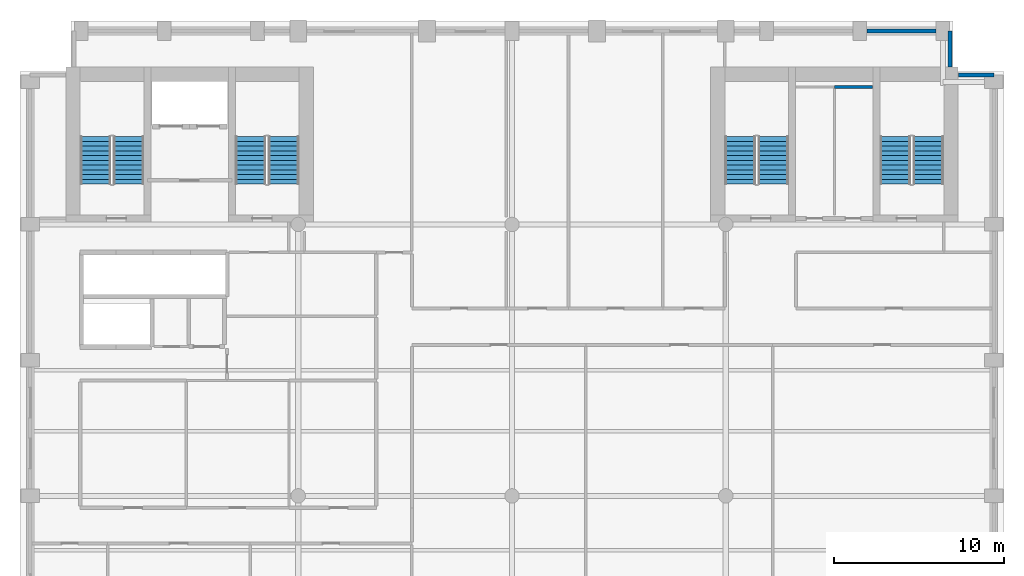
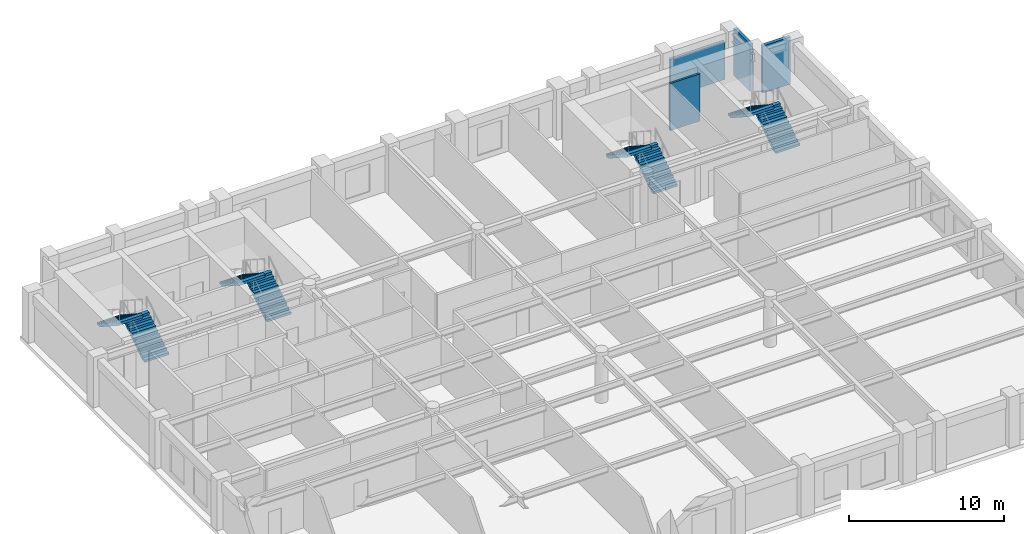
# One storey, part 6 of 8: 8 stair flights, 4 walls, 4 elements without a shape of their own.
"""IFC4 building model written with IfcOpenShell, lengths in metres."""

from ifc_helpers import new_model, si_unit, direction, frame, frame_2d, origin, place, context, subcontext, project, spatial, polyline, rectangle, outline, extrude, material, layer, layer_set, type_object, element, aggregate, save


model = new_model("IFC4")

# Units and contexts
model_context = context("Model", 3, precision=1e-05, world=origin(), true_north=direction((0.0, 1.0)))
body_context = subcontext(model_context, "Body", "Model", "MODEL_VIEW")
ifc_project = project(units=[si_unit("LENGTHUNIT", "METRE"), si_unit("AREAUNIT", "SQUARE_METRE"), si_unit("VOLUMEUNIT", "CUBIC_METRE"), si_unit("PLANEANGLEUNIT", "RADIAN"), si_unit("MASSUNIT", "GRAM", prefix="KILO")], contexts=[model_context])

# Site, building, storey
site_placement = place(None, origin())
site = spatial("IfcSite", under=ifc_project, at=site_placement, CompositionType="ELEMENT")
building_placement = place(site_placement, origin())
building = spatial("IfcBuilding", under=site, at=building_placement, Name="Sulina Concourse Tower", CompositionType="ELEMENT")
storey_placement = place(building_placement, frame((0.0, 0.0, 174.60009765625)))
storey = spatial("IfcBuildingStorey", under=building, at=storey_placement, Name="L42", CompositionType="ELEMENT", Elevation=174.60009765625)

# Walls
ifc_material_1 = material(Name="Precast concrete C50/60", Category="concrete")
ifc_layer_1 = layer(ifc_material_1, 0.239990234375)
ifc_layer_set_1 = layer_set([ifc_layer_1], Name="Precast concrete C50/60")
wall_type_1 = type_object("IfcWallType", Name="Crown Precast Masonry-Frame Facade Wall 240mm", PredefinedType="SOLIDWALL", material=ifc_layer_set_1)
wall_1_placement = place(storey_placement, frame((49.919921875, 45.39990234375, 0.0), z_axis=(0.0, 0.0, 1.0), x_axis=(1.0, 0.0, 0.0)))
element("IfcWall", 1, at=wall_1_placement, inside=storey, type_object=wall_type_1, Name="L42 exterior precast wall N10", PredefinedType="SOLIDWALL", context=body_context, shape_type="SweptSolid", body=[
    extrude(rectangle(XDim=4.06005859375, YDim=0.239990234375, at=frame_2d((2.030029296875, 0.0))), origin(), (0.0, 0.0, 1.0), 2.974853515625),
])
wall_2_placement = place(storey_placement, frame((54.820068359375, 45.39990234375, 0.0), z_axis=(0.0, 0.0, 1.0), x_axis=(0.0, -1.0, 0.0)))
element("IfcWall", 2, at=wall_2_placement, inside=storey, type_object=wall_type_1, Name="L42 exterior precast wall CNE1", PredefinedType="SOLIDWALL", context=body_context, shape_type="SweptSolid", body=[
    extrude(rectangle(XDim=2.114990234375, YDim=0.239990234375, at=frame_2d((1.0576171875, 0.0))), origin(), (0.0, 0.0, 1.0), 3.724853515625),
])
wall_3_placement = place(storey_placement, frame((55.304931640625, 42.820068359375, 0.0), z_axis=(0.0, 0.0, 1.0), x_axis=(1.0, 0.0, 0.0)))
element("IfcWall", 3, at=wall_3_placement, inside=storey, type_object=wall_type_1, Name="L42 exterior precast wall CNE2", PredefinedType="SOLIDWALL", context=body_context, shape_type="SweptSolid", body=[
    extrude(rectangle(XDim=2.094970703125, YDim=0.239990234375, at=frame_2d((1.04736328125, 0.0))), origin(), (0.0, 0.0, 1.0), 3.724853515625),
])
ifc_material_2 = material(Name="Gypsum board on steel stud", Category="steel")
ifc_layer_2 = layer(ifc_material_2, 0.14990234375)
ifc_layer_set_2 = layer_set([ifc_layer_2], Name="Gypsum board on steel stud")
wall_type_2 = type_object("IfcWallType", Name="Inter-Tenancy Acoustic Partition 150mm", PredefinedType="PARTITIONING", material=ifc_layer_set_2)
wall_4_placement = place(storey_placement, frame((48.0, 42.10009765625, 0.0), z_axis=(0.0, 0.0, 1.0), x_axis=(1.0, 0.0, 0.0)))
element("IfcWall", 4, at=wall_4_placement, inside=storey, type_object=wall_type_2, Name="L42 interior partition 030", PredefinedType="PARTITIONING", context=body_context, shape_type="SweptSolid", body=[
    extrude(rectangle(XDim=2.25, YDim=0.14990234375, at=frame_2d((1.125, 0.0))), origin(), (0.0, 0.0, 1.0), 3.724853515625),
])

# Stair, stair flights
ifc_material_3 = material(Name="Concrete C50/60", Category="concrete")
stair_type_1 = type_object("IfcStairType", Name="Portal & Podium Core Exit Stair 1820mm", PredefinedType="HALF_TURN_STAIR", material=ifc_material_3)
stair_1_placement = place(storey_placement, origin())
stair_1 = element("IfcStair", 5, at=stair_1_placement, inside=storey, type_object=stair_type_1, Name="L42 ST-3", PredefinedType="HALF_TURN_STAIR")
ifc_material_4 = material(Name="Concrete C50/60", Category="concrete")
stair_flight_type_1 = type_object("IfcStairFlightType", Name="Portal & Podium Core Exit Stair 1820mm Flight", PredefinedType="STRAIGHT", material=ifc_material_4)
stair_flight_1_placement = place(storey_placement, frame((44.405029296875, 36.375, 0.0), z_axis=(0.0, 0.0, 1.0), x_axis=(0.0, 1.0, 0.0)))
stair_flight_1 = element("IfcStairFlight", 6, at=stair_flight_1_placement, type_object=stair_flight_type_1, Name="ST-3 flight 1", NumberOfRisers=11, NumberOfTreads=10, PredefinedType="STRAIGHT", RiserHeight=0.181818182, TreadLength=0.28, context=body_context, shape_type="SweptSolid", body=[
    extrude(outline(polyline([(0.0, 0.0), (0.0, 0.181884765625), (0.280029296875, 0.181884765625), (0.280029296875, 0.363525390625), (0.56005859375, 0.363525390625), (0.56005859375, 0.54541015625), (0.840087890625, 0.54541015625), (0.840087890625, 0.727294921875), (1.1201171875, 0.727294921875), (1.1201171875, 0.9091796875), (1.39990234375, 0.9091796875), (1.39990234375, 1.0908203125), (1.679931640625, 1.0908203125), (1.679931640625, 1.272705078125), (1.9599609375, 1.272705078125), (1.9599609375, 1.45458984375), (2.239990234375, 1.45458984375), (2.239990234375, 1.636474609375), (2.52001953125, 1.636474609375), (2.52001953125, 1.818115234375), (2.800048828125, 1.818115234375), (2.800048828125, 2.0), (2.800048828125, 1.603759765625), (0.330322265625, 0.0), (0.0, 0.0)])), frame((0.0, 0.89990234375, 0.0), z_axis=(0.0, -1.0, 0.0), x_axis=(1.0, 0.0, 0.0)), (0.0, 0.0, 1.0), 1.800048828125),
])
stair_flight_2_placement = place(storey_placement, frame((42.455078125, 39.175048828125, 2.0), z_axis=(0.0, 0.0, 1.0), x_axis=(0.0, -1.0, 0.0)))
stair_flight_2 = element("IfcStairFlight", 7, at=stair_flight_2_placement, type_object=stair_flight_type_1, Name="ST-3 flight 2", NumberOfRisers=11, NumberOfTreads=10, PredefinedType="STRAIGHT", RiserHeight=0.181818182, TreadLength=0.28, context=body_context, shape_type="SweptSolid", body=[
    extrude(outline(polyline([(0.0, 0.0), (0.0, 0.181884765625), (0.280029296875, 0.181884765625), (0.280029296875, 0.363525390625), (0.56005859375, 0.363525390625), (0.56005859375, 0.54541015625), (0.840087890625, 0.54541015625), (0.840087890625, 0.727294921875), (1.1201171875, 0.727294921875), (1.1201171875, 0.9091796875), (1.39990234375, 0.9091796875), (1.39990234375, 1.0908203125), (1.679931640625, 1.0908203125), (1.679931640625, 1.272705078125), (1.9599609375, 1.272705078125), (1.9599609375, 1.45458984375), (2.239990234375, 1.45458984375), (2.239990234375, 1.636474609375), (2.52001953125, 1.636474609375), (2.52001953125, 1.818115234375), (2.800048828125, 1.818115234375), (2.800048828125, 2.0), (2.800048828125, 1.603759765625), (0.330322265625, 0.0), (0.0, 0.0)])), frame((0.0, 0.89990234375, 0.0), z_axis=(0.0, -1.0, 0.0), x_axis=(1.0, 0.0, 0.0)), (0.0, 0.0, 1.0), 1.800048828125),
])
aggregate(stair_1, [stair_flight_1, stair_flight_2])

stair_2_placement = place(storey_placement, origin())
stair_2 = element("IfcStair", 8, at=stair_2_placement, inside=storey, type_object=stair_type_1, Name="L42 ST-4", PredefinedType="HALF_TURN_STAIR")
stair_flight_3_placement = place(storey_placement, frame((53.544921875, 36.375, 0.0), z_axis=(0.0, 0.0, 1.0), x_axis=(0.0, 1.0, 0.0)))
stair_flight_3 = element("IfcStairFlight", 9, at=stair_flight_3_placement, type_object=stair_flight_type_1, Name="ST-4 flight 1", NumberOfRisers=11, NumberOfTreads=10, PredefinedType="STRAIGHT", RiserHeight=0.181818182, TreadLength=0.28, context=body_context, shape_type="SweptSolid", body=[
    extrude(outline(polyline([(0.0, 0.0), (0.0, 0.181884765625), (0.280029296875, 0.181884765625), (0.280029296875, 0.363525390625), (0.56005859375, 0.363525390625), (0.56005859375, 0.54541015625), (0.840087890625, 0.54541015625), (0.840087890625, 0.727294921875), (1.1201171875, 0.727294921875), (1.1201171875, 0.9091796875), (1.39990234375, 0.9091796875), (1.39990234375, 1.0908203125), (1.679931640625, 1.0908203125), (1.679931640625, 1.272705078125), (1.9599609375, 1.272705078125), (1.9599609375, 1.45458984375), (2.239990234375, 1.45458984375), (2.239990234375, 1.636474609375), (2.52001953125, 1.636474609375), (2.52001953125, 1.818115234375), (2.800048828125, 1.818115234375), (2.800048828125, 2.0), (2.800048828125, 1.603759765625), (0.330322265625, 0.0), (0.0, 0.0)])), frame((0.0, 0.89990234375, 0.0), z_axis=(0.0, -1.0, 0.0), x_axis=(1.0, 0.0, 0.0)), (0.0, 0.0, 1.0), 1.800048828125),
])
stair_flight_4_placement = place(storey_placement, frame((51.594970703125, 39.175048828125, 2.0), z_axis=(0.0, 0.0, 1.0), x_axis=(0.0, -1.0, 0.0)))
stair_flight_4 = element("IfcStairFlight", 10, at=stair_flight_4_placement, type_object=stair_flight_type_1, Name="ST-4 flight 2", NumberOfRisers=11, NumberOfTreads=10, PredefinedType="STRAIGHT", RiserHeight=0.181818182, TreadLength=0.28, context=body_context, shape_type="SweptSolid", body=[
    extrude(outline(polyline([(0.0, 0.0), (0.0, 0.181884765625), (0.280029296875, 0.181884765625), (0.280029296875, 0.363525390625), (0.56005859375, 0.363525390625), (0.56005859375, 0.54541015625), (0.840087890625, 0.54541015625), (0.840087890625, 0.727294921875), (1.1201171875, 0.727294921875), (1.1201171875, 0.9091796875), (1.39990234375, 0.9091796875), (1.39990234375, 1.0908203125), (1.679931640625, 1.0908203125), (1.679931640625, 1.272705078125), (1.9599609375, 1.272705078125), (1.9599609375, 1.45458984375), (2.239990234375, 1.45458984375), (2.239990234375, 1.636474609375), (2.52001953125, 1.636474609375), (2.52001953125, 1.818115234375), (2.800048828125, 1.818115234375), (2.800048828125, 2.0), (2.800048828125, 1.603759765625), (0.330322265625, 0.0), (0.0, 0.0)])), frame((0.0, 0.89990234375, 0.0), z_axis=(0.0, -1.0, 0.0), x_axis=(1.0, 0.0, 0.0)), (0.0, 0.0, 1.0), 1.800048828125),
])
aggregate(stair_2, [stair_flight_3, stair_flight_4])

ifc_material_5 = material(Name="Concrete C50/60", Category="concrete")
stair_type_2 = type_object("IfcStairType", Name="Primary Core Dog-Leg Exit Stair 1800mm", PredefinedType="HALF_TURN_STAIR", material=ifc_material_5)
stair_3_placement = place(storey_placement, origin())
stair_3 = element("IfcStair", 11, at=stair_3_placement, inside=storey, type_object=stair_type_2, Name="L42 ST-1", PredefinedType="HALF_TURN_STAIR")
ifc_material_6 = material(Name="Concrete C50/60", Category="concrete")
stair_flight_type_2 = type_object("IfcStairFlightType", Name="Primary Core Dog-Leg Exit Stair 1800mm Flight", PredefinedType="STRAIGHT", material=ifc_material_6)
stair_flight_5_placement = place(storey_placement, frame((6.405029296875, 36.375, 0.0), z_axis=(0.0, 0.0, 1.0), x_axis=(0.0, 1.0, 0.0)))
stair_flight_5 = element("IfcStairFlight", 12, at=stair_flight_5_placement, type_object=stair_flight_type_2, Name="ST-1 flight 1", NumberOfRisers=11, NumberOfTreads=10, PredefinedType="STRAIGHT", RiserHeight=0.181818182, TreadLength=0.28, context=body_context, shape_type="SweptSolid", body=[
    extrude(outline(polyline([(0.0, 0.0), (0.0, 0.181884765625), (0.280029296875, 0.181884765625), (0.280029296875, 0.363525390625), (0.56005859375, 0.363525390625), (0.56005859375, 0.54541015625), (0.840087890625, 0.54541015625), (0.840087890625, 0.727294921875), (1.1201171875, 0.727294921875), (1.1201171875, 0.9091796875), (1.39990234375, 0.9091796875), (1.39990234375, 1.0908203125), (1.679931640625, 1.0908203125), (1.679931640625, 1.272705078125), (1.9599609375, 1.272705078125), (1.9599609375, 1.45458984375), (2.239990234375, 1.45458984375), (2.239990234375, 1.636474609375), (2.52001953125, 1.636474609375), (2.52001953125, 1.818115234375), (2.800048828125, 1.818115234375), (2.800048828125, 2.0), (2.800048828125, 1.603759765625), (0.330322265625, 0.0), (0.0, 0.0)])), frame((0.0, 0.89990234375, 0.0), z_axis=(0.0, -1.0, 0.0), x_axis=(1.0, 0.0, 0.0)), (0.0, 0.0, 1.0), 1.800048828125),
])
stair_flight_6_placement = place(storey_placement, frame((4.455078125, 39.175048828125, 2.0), z_axis=(0.0, 0.0, 1.0), x_axis=(0.0, -1.0, 0.0)))
stair_flight_6 = element("IfcStairFlight", 13, at=stair_flight_6_placement, type_object=stair_flight_type_2, Name="ST-1 flight 2", NumberOfRisers=11, NumberOfTreads=10, PredefinedType="STRAIGHT", RiserHeight=0.181818182, TreadLength=0.28, context=body_context, shape_type="SweptSolid", body=[
    extrude(outline(polyline([(0.0, 0.0), (0.0, 0.181884765625), (0.280029296875, 0.181884765625), (0.280029296875, 0.363525390625), (0.56005859375, 0.363525390625), (0.56005859375, 0.54541015625), (0.840087890625, 0.54541015625), (0.840087890625, 0.727294921875), (1.1201171875, 0.727294921875), (1.1201171875, 0.9091796875), (1.39990234375, 0.9091796875), (1.39990234375, 1.0908203125), (1.679931640625, 1.0908203125), (1.679931640625, 1.272705078125), (1.9599609375, 1.272705078125), (1.9599609375, 1.45458984375), (2.239990234375, 1.45458984375), (2.239990234375, 1.636474609375), (2.52001953125, 1.636474609375), (2.52001953125, 1.818115234375), (2.800048828125, 1.818115234375), (2.800048828125, 2.0), (2.800048828125, 1.603759765625), (0.330322265625, 0.0), (0.0, 0.0)])), frame((0.0, 0.89990234375, 0.0), z_axis=(0.0, -1.0, 0.0), x_axis=(1.0, 0.0, 0.0)), (0.0, 0.0, 1.0), 1.800048828125),
])
aggregate(stair_3, [stair_flight_5, stair_flight_6])

stair_4_placement = place(storey_placement, origin())
stair_4 = element("IfcStair", 14, at=stair_4_placement, inside=storey, type_object=stair_type_2, Name="L42 ST-2", PredefinedType="HALF_TURN_STAIR")
stair_flight_7_placement = place(storey_placement, frame((15.544921875, 36.375, 0.0), z_axis=(0.0, 0.0, 1.0), x_axis=(0.0, 1.0, 0.0)))
stair_flight_7 = element("IfcStairFlight", 15, at=stair_flight_7_placement, type_object=stair_flight_type_2, Name="ST-2 flight 1", NumberOfRisers=11, NumberOfTreads=10, PredefinedType="STRAIGHT", RiserHeight=0.181818182, TreadLength=0.28, context=body_context, shape_type="SweptSolid", body=[
    extrude(outline(polyline([(0.0, 0.0), (0.0, 0.181884765625), (0.280029296875, 0.181884765625), (0.280029296875, 0.363525390625), (0.56005859375, 0.363525390625), (0.56005859375, 0.54541015625), (0.840087890625, 0.54541015625), (0.840087890625, 0.727294921875), (1.1201171875, 0.727294921875), (1.1201171875, 0.9091796875), (1.39990234375, 0.9091796875), (1.39990234375, 1.0908203125), (1.679931640625, 1.0908203125), (1.679931640625, 1.272705078125), (1.9599609375, 1.272705078125), (1.9599609375, 1.45458984375), (2.239990234375, 1.45458984375), (2.239990234375, 1.636474609375), (2.52001953125, 1.636474609375), (2.52001953125, 1.818115234375), (2.800048828125, 1.818115234375), (2.800048828125, 2.0), (2.800048828125, 1.603759765625), (0.330322265625, 0.0), (0.0, 0.0)])), frame((0.0, 0.89990234375, 0.0), z_axis=(0.0, -1.0, 0.0), x_axis=(1.0, 0.0, 0.0)), (0.0, 0.0, 1.0), 1.800048828125),
])
stair_flight_8_placement = place(storey_placement, frame((13.594970703125, 39.175048828125, 2.0), z_axis=(0.0, 0.0, 1.0), x_axis=(0.0, -1.0, 0.0)))
stair_flight_8 = element("IfcStairFlight", 16, at=stair_flight_8_placement, type_object=stair_flight_type_2, Name="ST-2 flight 2", NumberOfRisers=11, NumberOfTreads=10, PredefinedType="STRAIGHT", RiserHeight=0.181818182, TreadLength=0.28, context=body_context, shape_type="SweptSolid", body=[
    extrude(outline(polyline([(0.0, 0.0), (0.0, 0.181884765625), (0.280029296875, 0.181884765625), (0.280029296875, 0.363525390625), (0.56005859375, 0.363525390625), (0.56005859375, 0.54541015625), (0.840087890625, 0.54541015625), (0.840087890625, 0.727294921875), (1.1201171875, 0.727294921875), (1.1201171875, 0.9091796875), (1.39990234375, 0.9091796875), (1.39990234375, 1.0908203125), (1.679931640625, 1.0908203125), (1.679931640625, 1.272705078125), (1.9599609375, 1.272705078125), (1.9599609375, 1.45458984375), (2.239990234375, 1.45458984375), (2.239990234375, 1.636474609375), (2.52001953125, 1.636474609375), (2.52001953125, 1.818115234375), (2.800048828125, 1.818115234375), (2.800048828125, 2.0), (2.800048828125, 1.603759765625), (0.330322265625, 0.0), (0.0, 0.0)])), frame((0.0, 0.89990234375, 0.0), z_axis=(0.0, -1.0, 0.0), x_axis=(1.0, 0.0, 0.0)), (0.0, 0.0, 1.0), 1.800048828125),
])
aggregate(stair_4, [stair_flight_7, stair_flight_8])

save(model, "model.ifc")
